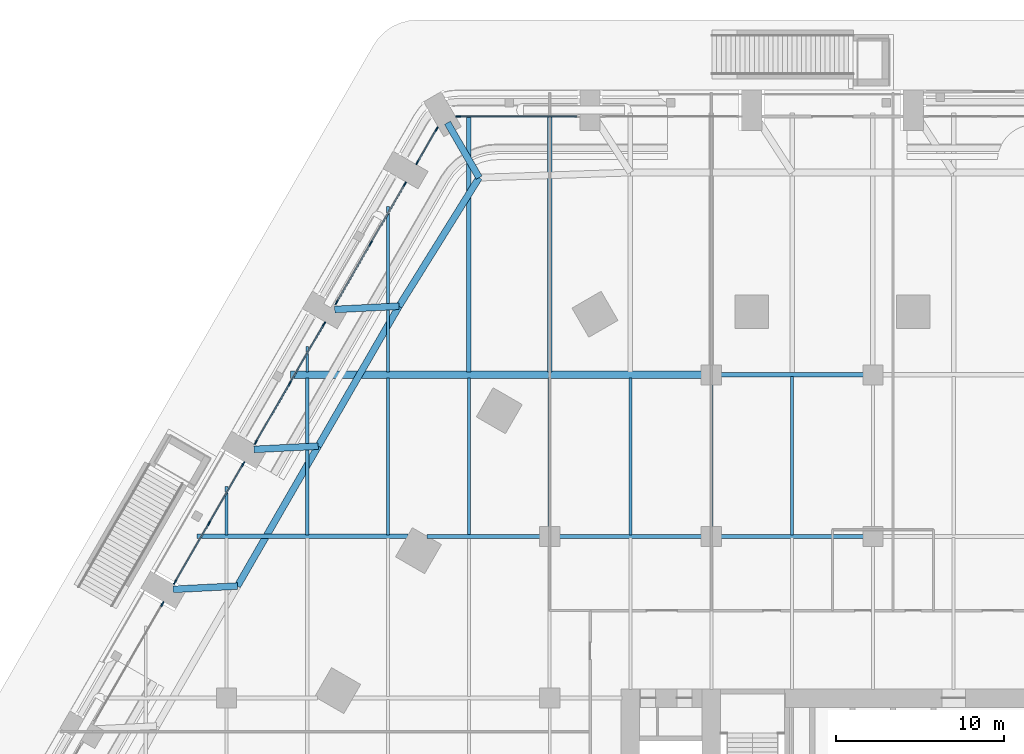
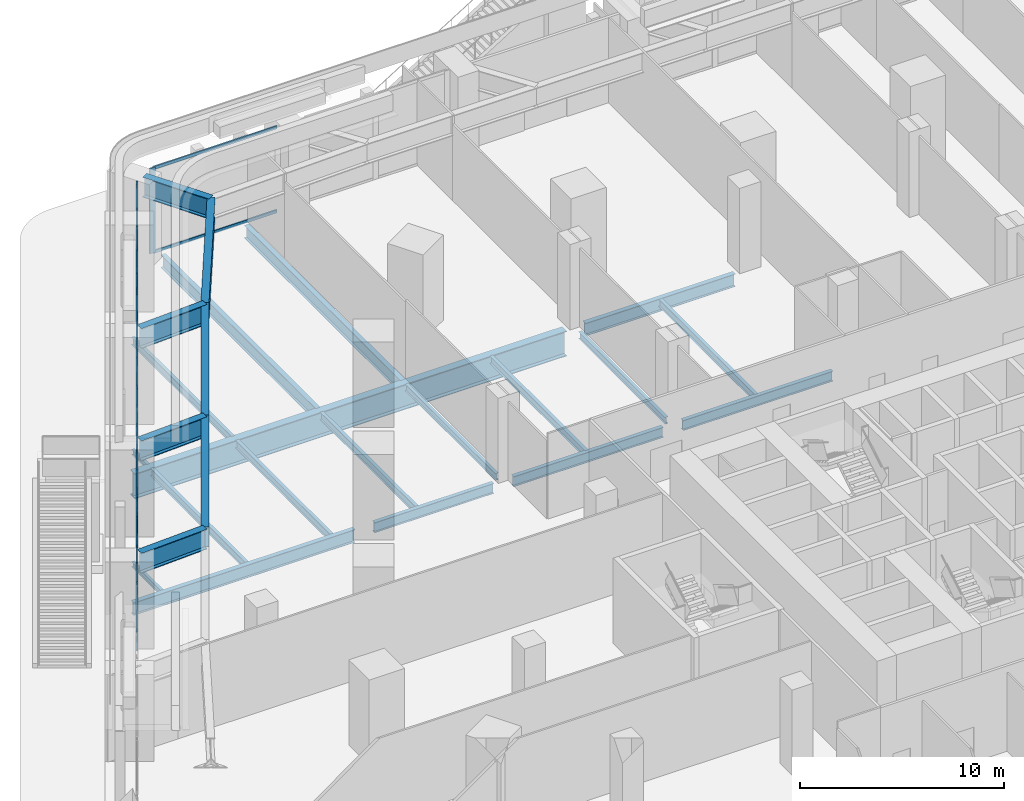
# One storey, part 9 of 34: 29 members, 25 beams, 6 elements without a shape of their own.
"""IFC4 building model written with IfcOpenShell, lengths in metres."""

from ifc_helpers import new_model, si_unit, direction, frame, origin, origin_2d, place, context, subcontext, project, spatial, rectangle, i_section, extrude, material, material_profile, profile_set, type_object, element, aggregate, save


model = new_model("IFC4")

# Units and contexts
model_context = context("Model", 3, precision=1e-05, world=origin(), true_north=direction((0.0, 1.0)))
body_context = subcontext(model_context, "Body", "Model", "MODEL_VIEW")
ifc_project = project(units=[si_unit("LENGTHUNIT", "METRE"), si_unit("AREAUNIT", "SQUARE_METRE"), si_unit("VOLUMEUNIT", "CUBIC_METRE"), si_unit("PLANEANGLEUNIT", "RADIAN"), si_unit("MASSUNIT", "GRAM", prefix="KILO")], contexts=[model_context])

# Site, building, storey
site_placement = place(None, origin())
site = spatial("IfcSite", under=ifc_project, at=site_placement, CompositionType="ELEMENT")
building_placement = place(site_placement, origin())
building = spatial("IfcBuilding", under=site, at=building_placement, Name="Kolab Exchange Tower", CompositionType="ELEMENT")
storey_placement = place(building_placement, frame((0.0, 0.0, 7.0)))
storey = spatial("IfcBuildingStorey", under=building, at=storey_placement, Name="L01", CompositionType="ELEMENT", Elevation=7.0)

# Beams
ifc_material_1 = material(Name="Steel S355", Category="steel")
ifc_material_profile_1 = material_profile(ifc_material_1, i_section(OverallWidth=0.1650390625, OverallDepth=0.31005859375, WebThickness=0.005859375, FlangeThickness=0.009765625, at=origin_2d()), Name="W310X39")
ifc_profile_set_1 = profile_set([ifc_material_profile_1], Name="Steel S355")
beam_type_1 = type_object("IfcBeamType", Name="FLOOR BEAM W310X39", PredefinedType="BEAM", material=ifc_profile_set_1)
beam_1_placement = place(storey_placement, frame((-38.39990234375, 19.29345703125, -0.455078125), z_axis=(0.0, 1.0, 0.0), x_axis=(-1.0, 0.0, 0.0)))
element("IfcBeam", 1, at=beam_1_placement, inside=storey, type_object=beam_type_1, Name="beam/L01/fr/011", PredefinedType="BEAM", context=body_context, shape_type="SweptSolid", body=[
    extrude(i_section(OverallWidth=0.1650390625, OverallDepth=0.31005859375, WebThickness=0.005859375, FlangeThickness=0.009765625, at=origin_2d()), origin(), (0.0, 0.0, 1.0), 2.887939453125),
])
beam_2_placement = place(storey_placement, frame((-33.60009765625, 28.985107421875, -0.455078125), z_axis=(0.0, 1.0, 0.0), x_axis=(-1.0, 0.0, 0.0)))
element("IfcBeam", 2, at=beam_2_placement, inside=storey, type_object=beam_type_1, Name="beam/L01/fr/020", PredefinedType="BEAM", context=body_context, shape_type="SweptSolid", body=[
    extrude(i_section(OverallWidth=0.1650390625, OverallDepth=0.31005859375, WebThickness=0.005859375, FlangeThickness=0.009765625, at=origin_2d()), origin(), (0.0, 0.0, 1.0), 1.51025390625),
])
ifc_material_profile_2 = material_profile(ifc_material_1, i_section(OverallWidth=0.177978515625, OverallDepth=0.406982421875, WebThickness=0.0078125, FlangeThickness=0.0126953125, at=origin_2d()), Name="W410X60")
ifc_profile_set_2 = profile_set([ifc_material_profile_2], Name="Steel S355")
beam_type_2 = type_object("IfcBeamType", Name="FLOOR BEAM W410X60", PredefinedType="BEAM", material=ifc_profile_set_2)
beam_3_placement = place(storey_placement, frame((-19.199951171875, 19.760009765625, -0.50341796875), z_axis=(0.0, 1.0, 0.0), x_axis=(-1.0, 0.0, 0.0)))
element("IfcBeam", 3, at=beam_3_placement, inside=storey, type_object=beam_type_2, Name="beam/L01/fr/045", PredefinedType="BEAM", context=body_context, shape_type="SweptSolid", body=[
    extrude(i_section(OverallWidth=0.177978515625, OverallDepth=0.406982421875, WebThickness=0.0078125, FlangeThickness=0.0126953125, at=origin_2d()), origin(), (0.0, 0.0, 1.0), 8.85498046875),
])
beam_4_placement = place(storey_placement, frame((-9.60009765625, 19.760009765625, -0.50341796875), z_axis=(0.0, 1.0, 0.0), x_axis=(-1.0, 0.0, 0.0)))
element("IfcBeam", 4, at=beam_4_placement, inside=storey, type_object=beam_type_2, Name="beam/L01/fr/060", PredefinedType="BEAM", context=body_context, shape_type="SweptSolid", body=[
    extrude(i_section(OverallWidth=0.177978515625, OverallDepth=0.406982421875, WebThickness=0.0078125, FlangeThickness=0.0126953125, at=origin_2d()), origin(), (0.0, 0.0, 1.0), 8.47998046875),
])
ifc_material_profile_3 = material_profile(ifc_material_1, i_section(OverallWidth=0.18994140625, OverallDepth=0.45703125, WebThickness=0.009033203125, FlangeThickness=0.014404296875, at=origin_2d()), Name="W460X74")
ifc_profile_set_3 = profile_set([ifc_material_profile_3], Name="Steel S355")
beam_type_3 = type_object("IfcBeamType", Name="FLOOR BEAM W460X74", PredefinedType="BEAM", material=ifc_profile_set_3)
for number, where, z_axis, x_axis, name in (
    (5, (-33.60009765625, 19.29345703125, -0.528564453125), (0.0, 1.0, 0.0), (-1.0, 0.0, 0.0), "beam/L01/fr/019"),
    (6, (-28.800048828125, 19.29345703125, -0.528564453125), (0.0, 1.0, 0.0), (-1.0, 0.0, 0.0), "beam/L01/fr/028"),
):
    element("IfcBeam", number, at=place(storey_placement, frame(where, z_axis=z_axis, x_axis=x_axis)), inside=storey, type_object=beam_type_3, Name=name, PredefinedType="BEAM", context=body_context, shape_type="SweptSolid", body=[
        extrude(i_section(OverallWidth=0.18994140625, OverallDepth=0.45703125, WebThickness=0.009033203125, FlangeThickness=0.014404296875, at=origin_2d()), origin(), (0.0, 0.0, 1.0), 9.321533203125),
    ])
beam_5_placement = place(storey_placement, frame((-28.800048828125, 28.985107421875, -0.528564453125), z_axis=(0.0, 1.0, 0.0), x_axis=(-1.0, 0.0, 0.0)))
element("IfcBeam", 7, at=beam_5_placement, inside=storey, type_object=beam_type_3, Name="beam/L01/fr/029", PredefinedType="BEAM", context=body_context, shape_type="SweptSolid", body=[
    extrude(i_section(OverallWidth=0.18994140625, OverallDepth=0.45703125, WebThickness=0.009033203125, FlangeThickness=0.014404296875, at=origin_2d()), origin(), (0.0, 0.0, 1.0), 9.823974609375),
])
for number, where, z_axis, x_axis, name in (
    (8, (-24.0, 19.27392578125, -0.528564453125), (0.0, 1.0, 0.0), (-1.0, 0.0, 0.0), "beam/L01/fr/037"),
    (9, (-14.39990234375, 19.27392578125, -0.528564453125), (0.0, 1.0, 0.0), (-1.0, 0.0, 0.0), "beam/L01/fr/052"),
):
    element("IfcBeam", number, at=place(storey_placement, frame(where, z_axis=z_axis, x_axis=x_axis)), inside=storey, type_object=beam_type_3, Name=name, PredefinedType="BEAM", context=body_context, shape_type="SweptSolid", body=[
        extrude(i_section(OverallWidth=0.18994140625, OverallDepth=0.45703125, WebThickness=0.009033203125, FlangeThickness=0.014404296875, at=origin_2d()), origin(), (0.0, 0.0, 1.0), 9.341064453125),
    ])
beam_6_placement = place(storey_placement, frame((-4.800048828125, 19.27392578125, -0.528564453125), z_axis=(0.0, 1.0, 0.0), x_axis=(-1.0, 0.0, 0.0)))
element("IfcBeam", 10, at=beam_6_placement, inside=storey, type_object=beam_type_3, Name="beam/L01/fr/068", PredefinedType="BEAM", context=body_context, shape_type="SweptSolid", body=[
    extrude(i_section(OverallWidth=0.18994140625, OverallDepth=0.45703125, WebThickness=0.009033203125, FlangeThickness=0.014404296875, at=origin_2d()), origin(), (0.0, 0.0, 1.0), 9.4326171875),
])
ifc_material_profile_4 = material_profile(ifc_material_1, i_section(OverallWidth=0.26708984375, OverallDepth=0.761962890625, WebThickness=0.014404296875, FlangeThickness=0.021484375, at=origin_2d()), Name="W760X173")
ifc_profile_set_4 = profile_set([ifc_material_profile_4], Name="Steel S355")
beam_type_4 = type_object("IfcBeamType", Name="FLOOR BEAM W760X173", PredefinedType="BEAM", material=ifc_profile_set_4)
beam_7_placement = place(storey_placement, frame((-24.0, 28.985107421875, -0.680908203125), z_axis=(0.0, 1.0, 0.0), x_axis=(-1.0, 0.0, 0.0)))
element("IfcBeam", 11, at=beam_7_placement, inside=storey, type_object=beam_type_4, Name="beam/L01/fr/038", PredefinedType="BEAM", context=body_context, shape_type="SweptSolid", body=[
    extrude(i_section(OverallWidth=0.26708984375, OverallDepth=0.761962890625, WebThickness=0.014404296875, FlangeThickness=0.021484375, at=origin_2d()), origin(), (0.0, 0.0, 1.0), 15.182861328125),
])
beam_8_placement = place(storey_placement, frame((-19.199951171875, 28.985107421875, -0.680908203125), z_axis=(0.0, 1.0, 0.0), x_axis=(-1.0, 0.0, 0.0)))
element("IfcBeam", 12, at=beam_8_placement, inside=storey, type_object=beam_type_4, Name="beam/L01/fr/046", PredefinedType="BEAM", context=body_context, shape_type="SweptSolid", body=[
    extrude(i_section(OverallWidth=0.26708984375, OverallDepth=0.761962890625, WebThickness=0.014404296875, FlangeThickness=0.021484375, at=origin_2d()), origin(), (0.0, 0.0, 1.0), 15.31494140625),
])
ifc_material_profile_5 = material_profile(ifc_material_1, i_section(OverallWidth=0.449951171875, OverallDepth=1.5, WebThickness=0.028076171875, FlangeThickness=0.044921875, at=origin_2d()), Name="PG1500X450")
ifc_profile_set_5 = profile_set([ifc_material_profile_5], Name="Steel S355")
beam_type_5 = type_object("IfcBeamType", Name="FLOOR GIRDER PG1500X450", PredefinedType="BEAM", material=ifc_profile_set_5)
beam_9_placement = place(storey_placement, frame((-34.595703125, 28.800048828125, -1.050048828125), z_axis=(1.0, 0.0, 0.0), x_axis=(0.0, 1.0, 0.0)))
element("IfcBeam", 13, at=beam_9_placement, inside=storey, type_object=beam_type_5, Name="beam/L01/gd/008", PredefinedType="BEAM", context=body_context, shape_type="SweptSolid", body=[
    extrude(i_section(OverallWidth=0.449951171875, OverallDepth=1.5, WebThickness=0.028076171875, FlangeThickness=0.044921875, at=origin_2d()), origin(), (0.0, 0.0, 1.0), 24.435791015625),
])
ifc_material_profile_6 = material_profile(ifc_material_1, i_section(OverallWidth=0.22802734375, OverallDepth=0.60791015625, WebThickness=0.01123046875, FlangeThickness=0.017333984375, at=origin_2d()), Name="W610X113")
ifc_profile_set_6 = profile_set([ifc_material_profile_6], Name="Steel S355")
beam_type_6 = type_object("IfcBeamType", Name="FLOOR GIRDER W610X113", PredefinedType="BEAM", material=ifc_profile_set_6)
beam_10_placement = place(storey_placement, frame((-26.495361328125, 19.199951171875, -0.60400390625), z_axis=(1.0, 0.0, 0.0), x_axis=(0.0, 1.0, 0.0)))
element("IfcBeam", 14, at=beam_10_placement, inside=storey, type_object=beam_type_6, Name="beam/L01/gd/013", PredefinedType="BEAM", context=body_context, shape_type="SweptSolid", body=[
    extrude(i_section(OverallWidth=0.22802734375, OverallDepth=0.60791015625, WebThickness=0.01123046875, FlangeThickness=0.017333984375, at=origin_2d()), origin(), (0.0, 0.0, 1.0), 6.7353515625),
])
for number, where, z_axis, x_axis, name in (
    (15, (-18.639892578125, 19.199951171875, -0.60400390625), (1.0, 0.0, 0.0), (0.0, 1.0, 0.0), "beam/L01/gd/017"),
    (16, (-9.0400390625, 19.199951171875, -0.60400390625), (1.0, 0.0, 0.0), (0.0, 1.0, 0.0), "beam/L01/gd/021"),
):
    element("IfcBeam", number, at=place(storey_placement, frame(where, z_axis=z_axis, x_axis=x_axis)), inside=storey, type_object=beam_type_6, Name=name, PredefinedType="BEAM", context=body_context, shape_type="SweptSolid", body=[
        extrude(i_section(OverallWidth=0.22802734375, OverallDepth=0.60791015625, WebThickness=0.01123046875, FlangeThickness=0.017333984375, at=origin_2d()), origin(), (0.0, 0.0, 1.0), 8.47998046875),
    ])
ifc_material_profile_7 = material_profile(ifc_material_1, i_section(OverallWidth=0.26708984375, OverallDepth=0.761962890625, WebThickness=0.014404296875, FlangeThickness=0.021484375, at=origin_2d()), Name="W760X173")
ifc_profile_set_7 = profile_set([ifc_material_profile_7], Name="Steel S355")
beam_type_7 = type_object("IfcBeamType", Name="FLOOR GIRDER W760X173", PredefinedType="BEAM", material=ifc_profile_set_7)
beam_11_placement = place(storey_placement, frame((-40.13818359375, 19.199951171875, -0.680908203125), z_axis=(1.0, 0.0, 0.0), x_axis=(0.0, 1.0, 0.0)))
element("IfcBeam", 17, at=beam_11_placement, inside=storey, type_object=beam_type_7, Name="beam/L01/gd/004", PredefinedType="BEAM", context=body_context, shape_type="SweptSolid", body=[
    extrude(i_section(OverallWidth=0.26708984375, OverallDepth=0.761962890625, WebThickness=0.014404296875, FlangeThickness=0.021484375, at=origin_2d()), origin(), (0.0, 0.0, 1.0), 12.516845703125),
])
beam_12_placement = place(storey_placement, frame((-9.0400390625, 28.800048828125, -0.680908203125), z_axis=(1.0, 0.0, 0.0), x_axis=(0.0, 1.0, 0.0)))
element("IfcBeam", 18, at=beam_12_placement, inside=storey, type_object=beam_type_7, Name="beam/L01/gd/022", PredefinedType="BEAM", context=body_context, shape_type="SweptSolid", body=[
    extrude(i_section(OverallWidth=0.26708984375, OverallDepth=0.761962890625, WebThickness=0.014404296875, FlangeThickness=0.021484375, at=origin_2d()), origin(), (0.0, 0.0, 1.0), 8.47998046875),
])

# Curtain wall, member
ifc_material_2 = material(Name="Aluminium EN AW-6063 T6", Category="aluminium")
curtain_wall_type = type_object("IfcCurtainWallType", Name="PODIUM STRUCTURAL GLAZING CURTAIN WALL", PredefinedType="NOTDEFINED", material=ifc_material_2)
curtain_wall_1_placement = place(storey_placement, origin())
curtain_wall_1 = element("IfcCurtainWall", 19, at=curtain_wall_1_placement, inside=storey, type_object=curtain_wall_type, Name="cw/L01/F1-1", PredefinedType="NOTDEFINED")
ifc_material_profile_8 = material_profile(ifc_material_2, rectangle(XDim=0.080078125, YDim=0.300048828125, at=origin_2d()), Name="RECT 80X300")
ifc_profile_set_8 = profile_set([ifc_material_profile_8], Name="Aluminium EN AW-6063 T6")
member_type_1 = type_object("IfcMemberType", Name="PODIUM STRUCTURAL GLAZING MULLION 80 X 300", PredefinedType="MULLION", material=ifc_profile_set_8)
member_1_placement = place(storey_placement, frame((-24.6279296875, 44.146240234375, 0.0), z_axis=(0.0, 0.0, 1.0), x_axis=(0.0, 1.0, 0.0)))
member_1 = element("IfcMember", 20, at=member_1_placement, type_object=member_type_1, Name="CW5 mullion 1", PredefinedType="MULLION", context=body_context, shape_type="SweptSolid", body=[
    extrude(rectangle(XDim=0.080078125, YDim=0.300048828125, at=origin_2d()), origin(), (0.0, 0.0, 1.0), 5.10009765625),
])

curtain_wall_2_placement = place(storey_placement, origin())
curtain_wall_2 = element("IfcCurtainWall", 21, at=curtain_wall_2_placement, inside=storey, type_object=curtain_wall_type, Name="cw/L01/F6-2", PredefinedType="NOTDEFINED")
member_2_placement = place(storey_placement, frame((-42.206787109375, 15.188232421875, 0.0), z_axis=(0.0, 0.0, 1.0), x_axis=(-0.866025409806, 0.499999989571, 0.0)))
member_2 = element("IfcMember", 22, at=member_2_placement, type_object=member_type_1, Name="CW5 mullion 3", PredefinedType="MULLION", context=body_context, shape_type="SweptSolid", body=[
    extrude(rectangle(XDim=0.080078125, YDim=0.300048828125, at=origin_2d()), origin(), (0.0, 0.0, 1.0), 5.10009765625),
])
aggregate(curtain_wall_2, [member_2])

# Curtain wall, members
curtain_wall_3_placement = place(storey_placement, origin())
curtain_wall_3 = element("IfcCurtainWall", 23, at=curtain_wall_3_placement, inside=storey, type_object=curtain_wall_type, Name="cw/L01/F6-3", PredefinedType="NOTDEFINED")
member_3_placement = place(storey_placement, frame((-41.456787109375, 16.4873046875, 0.0), z_axis=(0.0, 0.0, 1.0), x_axis=(-0.866025409806, 0.499999989571, 0.0)))
member_3 = element("IfcMember", 24, at=member_3_placement, type_object=member_type_1, Name="CW5 mullion 1", PredefinedType="MULLION", context=body_context, shape_type="SweptSolid", body=[
    extrude(rectangle(XDim=0.080078125, YDim=0.300048828125, at=origin_2d()), origin(), (0.0, 0.0, 1.0), 5.10009765625),
])
member_4_placement = place(storey_placement, frame((-39.431640625, 19.99462890625, 0.0), z_axis=(0.0, 0.0, 1.0), x_axis=(-0.866025409806, 0.499999989571, 0.0)))
member_4 = element("IfcMember", 25, at=member_4_placement, type_object=member_type_1, Name="CW5 mullion 2", PredefinedType="MULLION", context=body_context, shape_type="SweptSolid", body=[
    extrude(rectangle(XDim=0.080078125, YDim=0.300048828125, at=origin_2d()), origin(), (0.0, 0.0, 1.0), 5.10009765625),
])
member_5_placement = place(storey_placement, frame((-37.40673828125, 23.501953125, 0.0), z_axis=(0.0, 0.0, 1.0), x_axis=(-0.866025409806, 0.499999989571, 0.0)))
member_5 = element("IfcMember", 26, at=member_5_placement, type_object=member_type_1, Name="CW5 mullion 3", PredefinedType="MULLION", context=body_context, shape_type="SweptSolid", body=[
    extrude(rectangle(XDim=0.080078125, YDim=0.300048828125, at=origin_2d()), origin(), (0.0, 0.0, 1.0), 5.10009765625),
])

curtain_wall_4_placement = place(storey_placement, origin())
curtain_wall_4 = element("IfcCurtainWall", 27, at=curtain_wall_4_placement, inside=storey, type_object=curtain_wall_type, Name="cw/L01/F6-4", PredefinedType="NOTDEFINED")
member_6_placement = place(storey_placement, frame((-36.65673828125, 24.801025390625, 0.0), z_axis=(0.0, 0.0, 1.0), x_axis=(-0.866025409806, 0.499999989571, 0.0)))
member_6 = element("IfcMember", 28, at=member_6_placement, type_object=member_type_1, Name="CW5 mullion 1", PredefinedType="MULLION", context=body_context, shape_type="SweptSolid", body=[
    extrude(rectangle(XDim=0.080078125, YDim=0.300048828125, at=origin_2d()), origin(), (0.0, 0.0, 1.0), 5.10009765625),
])
member_7_placement = place(storey_placement, frame((-34.631591796875, 28.308349609375, 0.0), z_axis=(0.0, 0.0, 1.0), x_axis=(-0.866025409806, 0.499999989571, 0.0)))
member_7 = element("IfcMember", 29, at=member_7_placement, type_object=member_type_1, Name="CW5 mullion 2", PredefinedType="MULLION", context=body_context, shape_type="SweptSolid", body=[
    extrude(rectangle(XDim=0.080078125, YDim=0.300048828125, at=origin_2d()), origin(), (0.0, 0.0, 1.0), 5.10009765625),
])
member_8_placement = place(storey_placement, frame((-32.606689453125, 31.81591796875, 0.0), z_axis=(0.0, 0.0, 1.0), x_axis=(-0.866025409806, 0.499999989571, 0.0)))
member_8 = element("IfcMember", 30, at=member_8_placement, type_object=member_type_1, Name="CW5 mullion 3", PredefinedType="MULLION", context=body_context, shape_type="SweptSolid", body=[
    extrude(rectangle(XDim=0.080078125, YDim=0.300048828125, at=origin_2d()), origin(), (0.0, 0.0, 1.0), 5.10009765625),
])

curtain_wall_5_placement = place(storey_placement, origin())
curtain_wall_5 = element("IfcCurtainWall", 31, at=curtain_wall_5_placement, inside=storey, type_object=curtain_wall_type, Name="cw/L01/F6-5", PredefinedType="NOTDEFINED")
member_9_placement = place(storey_placement, frame((-31.856689453125, 33.114990234375, 0.0), z_axis=(0.0, 0.0, 1.0), x_axis=(-0.866025379245, 0.500000042503, 0.0)))
member_9 = element("IfcMember", 32, at=member_9_placement, type_object=member_type_1, Name="CW5 mullion 1", PredefinedType="MULLION", context=body_context, shape_type="SweptSolid", body=[
    extrude(rectangle(XDim=0.080078125, YDim=0.300048828125, at=origin_2d()), origin(), (0.0, 0.0, 1.0), 5.10009765625),
])
member_10_placement = place(storey_placement, frame((-29.831787109375, 36.622314453125, 0.0), z_axis=(0.0, 0.0, 1.0), x_axis=(-0.866025379245, 0.500000042503, 0.0)))
member_10 = element("IfcMember", 33, at=member_10_placement, type_object=member_type_1, Name="CW5 mullion 2", PredefinedType="MULLION", context=body_context, shape_type="SweptSolid", body=[
    extrude(rectangle(XDim=0.080078125, YDim=0.300048828125, at=origin_2d()), origin(), (0.0, 0.0, 1.0), 5.10009765625),
])
member_11_placement = place(storey_placement, frame((-27.806640625, 40.129638671875, 0.0), z_axis=(0.0, 0.0, 1.0), x_axis=(-0.866025379245, 0.500000042503, 0.0)))
member_11 = element("IfcMember", 34, at=member_11_placement, type_object=member_type_1, Name="CW5 mullion 3", PredefinedType="MULLION", context=body_context, shape_type="SweptSolid", body=[
    extrude(rectangle(XDim=0.080078125, YDim=0.300048828125, at=origin_2d()), origin(), (0.0, 0.0, 1.0), 5.10009765625),
])

curtain_wall_6_placement = place(storey_placement, origin())
curtain_wall_6 = element("IfcCurtainWall", 35, at=curtain_wall_6_placement, inside=storey, type_object=curtain_wall_type, Name="cw/L01/F6-6", PredefinedType="NOTDEFINED")
member_12_placement = place(storey_placement, frame((-27.056640625, 41.4287109375, 0.0), z_axis=(0.0, 0.0, 1.0), x_axis=(-0.86602534008, 0.500000110339, 0.0)))
member_12 = element("IfcMember", 36, at=member_12_placement, type_object=member_type_1, Name="CW5 mullion 1", PredefinedType="MULLION", context=body_context, shape_type="SweptSolid", body=[
    extrude(rectangle(XDim=0.080078125, YDim=0.300048828125, at=origin_2d()), origin(), (0.0, 0.0, 1.0), 5.10009765625),
])
member_13_placement = place(storey_placement, frame((-25.917724609375, 43.401611328125, 0.0), z_axis=(0.0, 0.0, 1.0), x_axis=(-0.86602534008, 0.500000110339, 0.0)))
member_13 = element("IfcMember", 37, at=member_13_placement, type_object=member_type_1, Name="CW5 mullion 2", PredefinedType="MULLION", context=body_context, shape_type="SweptSolid", body=[
    extrude(rectangle(XDim=0.080078125, YDim=0.300048828125, at=origin_2d()), origin(), (0.0, 0.0, 1.0), 5.10009765625),
])

# Member
ifc_material_profile_9 = material_profile(ifc_material_2, rectangle(XDim=0.080078125, YDim=0.179931640625, at=origin_2d()), Name="RECT 80X180")
ifc_profile_set_9 = profile_set([ifc_material_profile_9], Name="Aluminium EN AW-6063 T6")
member_type_2 = type_object("IfcMemberType", Name="PODIUM STRUCTURAL GLAZING TRANSOM 80 X 180", PredefinedType="USERDEFINED", material=ifc_profile_set_9)
member_14_placement = place(storey_placement, frame((-24.587890625, 44.146240234375, 0.0400390625), z_axis=(1.0, 0.0, 0.0), x_axis=(0.0, 1.0, 0.0)))
member_14 = element("IfcMember", 38, at=member_14_placement, type_object=member_type_2, Name="CW5 transom 1.1", ObjectType="TRANSOM", PredefinedType="USERDEFINED", context=body_context, shape_type="SweptSolid", body=[
    extrude(rectangle(XDim=0.080078125, YDim=0.179931640625, at=origin_2d()), origin(), (0.0, 0.0, 1.0), 6.997802734375),
])

member_15_placement = place(storey_placement, frame((-24.587890625, 44.146240234375, 5.06005859375), z_axis=(1.0, 0.0, 0.0), x_axis=(0.0, 1.0, 0.0)))
member_15 = element("IfcMember", 39, at=member_15_placement, type_object=member_type_2, Name="CW5 transom 1.2", ObjectType="TRANSOM", PredefinedType="USERDEFINED", context=body_context, shape_type="SweptSolid", body=[
    extrude(rectangle(XDim=0.080078125, YDim=0.179931640625, at=origin_2d()), origin(), (0.0, 0.0, 1.0), 6.997802734375),
])

aggregate(curtain_wall_1, [member_1, member_14, member_15])

member_16_placement = place(storey_placement, frame((-41.436767578125, 16.521728515625, 0.0400390625), z_axis=(0.500008124526, 0.866020713036, 0.0), x_axis=(-0.866020713036, 0.500008124526, 0.0)))
member_16 = element("IfcMember", 40, at=member_16_placement, type_object=member_type_2, Name="CW5 transom 1.1", ObjectType="TRANSOM", PredefinedType="USERDEFINED", context=body_context, shape_type="SweptSolid", body=[
    extrude(rectangle(XDim=0.080078125, YDim=0.179931640625, at=origin_2d()), origin(), (0.0, 0.0, 1.0), 3.97021484375),
])

member_17_placement = place(storey_placement, frame((-41.436767578125, 16.521728515625, 5.06005859375), z_axis=(0.500008124526, 0.866020713036, 0.0), x_axis=(-0.866020713036, 0.500008124526, 0.0)))
member_17 = element("IfcMember", 41, at=member_17_placement, type_object=member_type_2, Name="CW5 transom 1.2", ObjectType="TRANSOM", PredefinedType="USERDEFINED", context=body_context, shape_type="SweptSolid", body=[
    extrude(rectangle(XDim=0.080078125, YDim=0.179931640625, at=origin_2d()), origin(), (0.0, 0.0, 1.0), 3.97021484375),
])

member_18_placement = place(storey_placement, frame((-39.41162109375, 20.029296875, 0.0400390625), z_axis=(0.499988630717, 0.866031967744, 0.0), x_axis=(-0.866031967744, 0.499988630717, 0.0)))
member_18 = element("IfcMember", 42, at=member_18_placement, type_object=member_type_2, Name="CW5 transom 2.1", ObjectType="TRANSOM", PredefinedType="USERDEFINED", context=body_context, shape_type="SweptSolid", body=[
    extrude(rectangle(XDim=0.080078125, YDim=0.179931640625, at=origin_2d()), origin(), (0.0, 0.0, 1.0), 3.9697265625),
])

member_19_placement = place(storey_placement, frame((-39.41162109375, 20.029296875, 5.06005859375), z_axis=(0.499988630717, 0.866031967744, 0.0), x_axis=(-0.866031967744, 0.499988630717, 0.0)))
member_19 = element("IfcMember", 43, at=member_19_placement, type_object=member_type_2, Name="CW5 transom 2.2", ObjectType="TRANSOM", PredefinedType="USERDEFINED", context=body_context, shape_type="SweptSolid", body=[
    extrude(rectangle(XDim=0.080078125, YDim=0.179931640625, at=origin_2d()), origin(), (0.0, 0.0, 1.0), 3.9697265625),
])

aggregate(curtain_wall_3, [member_3, member_4, member_5, member_16, member_17, member_18, member_19])

member_20_placement = place(storey_placement, frame((-36.63671875, 24.835693359375, 0.0400390625), z_axis=(0.500008124526, 0.866020713036, 0.0), x_axis=(-0.866020713036, 0.500008124526, 0.0)))
member_20 = element("IfcMember", 44, at=member_20_placement, type_object=member_type_2, Name="CW5 transom 1.1", ObjectType="TRANSOM", PredefinedType="USERDEFINED", context=body_context, shape_type="SweptSolid", body=[
    extrude(rectangle(XDim=0.080078125, YDim=0.179931640625, at=origin_2d()), origin(), (0.0, 0.0, 1.0), 3.97021484375),
])

member_21_placement = place(storey_placement, frame((-36.63671875, 24.835693359375, 5.06005859375), z_axis=(0.500008124526, 0.866020713036, 0.0), x_axis=(-0.866020713036, 0.500008124526, 0.0)))
member_21 = element("IfcMember", 45, at=member_21_placement, type_object=member_type_2, Name="CW5 transom 1.2", ObjectType="TRANSOM", PredefinedType="USERDEFINED", context=body_context, shape_type="SweptSolid", body=[
    extrude(rectangle(XDim=0.080078125, YDim=0.179931640625, at=origin_2d()), origin(), (0.0, 0.0, 1.0), 3.97021484375),
])

member_22_placement = place(storey_placement, frame((-34.611572265625, 28.343017578125, 0.0400390625), z_axis=(0.499962002361, 0.86604734062, 0.0), x_axis=(-0.86604734062, 0.499962002361, 0.0)))
member_22 = element("IfcMember", 46, at=member_22_placement, type_object=member_type_2, Name="CW5 transom 2.1", ObjectType="TRANSOM", PredefinedType="USERDEFINED", context=body_context, shape_type="SweptSolid", body=[
    extrude(rectangle(XDim=0.080078125, YDim=0.179931640625, at=origin_2d()), origin(), (0.0, 0.0, 1.0), 3.969970703125),
])

member_23_placement = place(storey_placement, frame((-34.611572265625, 28.343017578125, 5.06005859375), z_axis=(0.499962002361, 0.86604734062, 0.0), x_axis=(-0.86604734062, 0.499962002361, 0.0)))
member_23 = element("IfcMember", 47, at=member_23_placement, type_object=member_type_2, Name="CW5 transom 2.2", ObjectType="TRANSOM", PredefinedType="USERDEFINED", context=body_context, shape_type="SweptSolid", body=[
    extrude(rectangle(XDim=0.080078125, YDim=0.179931640625, at=origin_2d()), origin(), (0.0, 0.0, 1.0), 3.969970703125),
])

aggregate(curtain_wall_4, [member_6, member_7, member_8, member_20, member_21, member_22, member_23])

member_24_placement = place(storey_placement, frame((-31.836669921875, 33.1494140625, 0.0400390625), z_axis=(0.500008124526, 0.866020713036, 0.0), x_axis=(-0.866020713036, 0.500008124526, 0.0)))
member_24 = element("IfcMember", 48, at=member_24_placement, type_object=member_type_2, Name="CW5 transom 1.1", ObjectType="TRANSOM", PredefinedType="USERDEFINED", context=body_context, shape_type="SweptSolid", body=[
    extrude(rectangle(XDim=0.080078125, YDim=0.179931640625, at=origin_2d()), origin(), (0.0, 0.0, 1.0), 3.97021484375),
])

member_25_placement = place(storey_placement, frame((-31.836669921875, 33.1494140625, 5.06005859375), z_axis=(0.500008124526, 0.866020713036, 0.0), x_axis=(-0.866020713036, 0.500008124526, 0.0)))
member_25 = element("IfcMember", 49, at=member_25_placement, type_object=member_type_2, Name="CW5 transom 1.2", ObjectType="TRANSOM", PredefinedType="USERDEFINED", context=body_context, shape_type="SweptSolid", body=[
    extrude(rectangle(XDim=0.080078125, YDim=0.179931640625, at=origin_2d()), origin(), (0.0, 0.0, 1.0), 3.97021484375),
])

member_26_placement = place(storey_placement, frame((-29.811767578125, 36.656982421875, 0.0400390625), z_axis=(0.500034753701, 0.866005337796, 0.0), x_axis=(-0.866005337796, 0.500034753701, 0.0)))
member_26 = element("IfcMember", 50, at=member_26_placement, type_object=member_type_2, Name="CW5 transom 2.1", ObjectType="TRANSOM", PredefinedType="USERDEFINED", context=body_context, shape_type="SweptSolid", body=[
    extrude(rectangle(XDim=0.080078125, YDim=0.179931640625, at=origin_2d()), origin(), (0.0, 0.0, 1.0), 3.969970703125),
])

member_27_placement = place(storey_placement, frame((-29.811767578125, 36.656982421875, 5.06005859375), z_axis=(0.500034753701, 0.866005337796, 0.0), x_axis=(-0.866005337796, 0.500034753701, 0.0)))
member_27 = element("IfcMember", 51, at=member_27_placement, type_object=member_type_2, Name="CW5 transom 2.2", ObjectType="TRANSOM", PredefinedType="USERDEFINED", context=body_context, shape_type="SweptSolid", body=[
    extrude(rectangle(XDim=0.080078125, YDim=0.179931640625, at=origin_2d()), origin(), (0.0, 0.0, 1.0), 3.969970703125),
])

aggregate(curtain_wall_5, [member_9, member_10, member_11, member_24, member_25, member_26, member_27])

member_28_placement = place(storey_placement, frame((-27.03662109375, 41.46337890625, 0.0400390625), z_axis=(0.499950011202, 0.866054262907, 0.0), x_axis=(-0.866054262907, 0.499950011202, 0.0)))
member_28 = element("IfcMember", 52, at=member_28_placement, type_object=member_type_2, Name="CW5 transom 1.1", ObjectType="TRANSOM", PredefinedType="USERDEFINED", context=body_context, shape_type="SweptSolid", body=[
    extrude(rectangle(XDim=0.080078125, YDim=0.179931640625, at=origin_2d()), origin(), (0.0, 0.0, 1.0), 2.197998046875),
])

member_29_placement = place(storey_placement, frame((-27.03662109375, 41.46337890625, 5.06005859375), z_axis=(0.499950011202, 0.866054262907, 0.0), x_axis=(-0.866054262907, 0.499950011202, 0.0)))
member_29 = element("IfcMember", 53, at=member_29_placement, type_object=member_type_2, Name="CW5 transom 1.2", ObjectType="TRANSOM", PredefinedType="USERDEFINED", context=body_context, shape_type="SweptSolid", body=[
    extrude(rectangle(XDim=0.080078125, YDim=0.179931640625, at=origin_2d()), origin(), (0.0, 0.0, 1.0), 2.197998046875),
])

aggregate(curtain_wall_6, [member_12, member_13, member_28, member_29])

# Beams
ifc_material_profile_10 = material_profile(ifc_material_1, i_section(OverallWidth=0.39990234375, OverallDepth=1.199951171875, WebThickness=0.02490234375, FlangeThickness=0.0400390625, at=origin_2d()), Name="PG1200X400")
ifc_profile_set_10 = profile_set([ifc_material_profile_10], Name="Steel S355")
beam_type_8 = type_object("IfcBeamType", Name="TRANSFER GIRDER PG1200X400", PredefinedType="BEAM", material=ifc_profile_set_10)
beam_13_placement = place(storey_placement, frame((-23.392822265625, 40.517822265625, 4.5), z_axis=(-0.50004282833, 0.866000675424, 0.0), x_axis=(-0.866000675424, -0.50004282833, 0.0)))
element("IfcBeam", 54, at=beam_13_placement, inside=storey, type_object=beam_type_8, Name="beam/L01/tg/P2-F1-01", PredefinedType="BEAM", context=body_context, shape_type="SweptSolid", body=[
    extrude(i_section(OverallWidth=0.39990234375, OverallDepth=1.199951171875, WebThickness=0.02490234375, FlangeThickness=0.0400390625, at=origin_2d()), origin(), (0.0, 0.0, 1.0), 3.760009765625),
])
for number, where, z_axis, x_axis, name in (
    (55, (-37.75048828125, 16.252685546875, 4.5), (-0.998699436698, -0.050984655928, 0.0), (0.050984655928, -0.998699436698, 0.0), "beam/L01/tg/P2-F6-05"),
    (56, (-32.950439453125, 24.56640625, 4.5), (-0.99870268381, -0.050921010905, 0.0), (0.050921010905, -0.99870268381, 0.0), "beam/L01/tg/P2-F6-07"),
    (57, (-28.150390625, 32.88037109375, 4.5), (-0.998699436698, -0.050984655928, 0.0), (0.050984655928, -0.998699436698, 0.0), "beam/L01/tg/P2-F6-09"),
):
    element("IfcBeam", number, at=place(storey_placement, frame(where, z_axis=z_axis, x_axis=x_axis)), inside=storey, type_object=beam_type_8, Name=name, PredefinedType="BEAM", context=body_context, shape_type="SweptSolid", body=[
        extrude(i_section(OverallWidth=0.39990234375, OverallDepth=1.199951171875, WebThickness=0.02490234375, FlangeThickness=0.0400390625, at=origin_2d()), origin(), (0.0, 0.0, 1.0), 3.825927734375),
    ])
beam_14_placement = place(storey_placement, frame((-37.75048828125, 16.252685546875, 4.5), z_axis=(0.500009370536, 0.866019993635, 0.0), x_axis=(-0.866019993635, 0.500009370536, 0.0)))
element("IfcBeam", 58, at=beam_14_placement, inside=storey, type_object=beam_type_8, Name="beam/L01/rg/P2-F6-05", PredefinedType="BEAM", context=body_context, shape_type="SweptSolid", body=[
    extrude(i_section(OverallWidth=0.39990234375, OverallDepth=1.199951171875, WebThickness=0.02490234375, FlangeThickness=0.0400390625, at=origin_2d()), origin(), (0.0, 0.0, 1.0), 9.599853515625),
])
beam_15_placement = place(storey_placement, frame((-32.950439453125, 24.56640625, 4.5), z_axis=(0.499998358424, 0.866026351547, 0.0), x_axis=(-0.866026351547, 0.499998358424, 0.0)))
element("IfcBeam", 59, at=beam_15_placement, inside=storey, type_object=beam_type_8, Name="beam/L01/rg/P2-F6-07", PredefinedType="BEAM", context=body_context, shape_type="SweptSolid", body=[
    extrude(i_section(OverallWidth=0.39990234375, OverallDepth=1.199951171875, WebThickness=0.02490234375, FlangeThickness=0.0400390625, at=origin_2d()), origin(), (0.0, 0.0, 1.0), 9.60009765625),
])
beam_16_placement = place(storey_placement, frame((-28.150390625, 32.88037109375, 4.5), z_axis=(0.528732569024, 0.848788472149, 0.0), x_axis=(-0.848788472149, 0.528732569024, 0.0)))
element("IfcBeam", 60, at=beam_16_placement, inside=storey, type_object=beam_type_8, Name="beam/L01/rg/P2-F6-09", PredefinedType="BEAM", context=body_context, shape_type="SweptSolid", body=[
    extrude(i_section(OverallWidth=0.39990234375, OverallDepth=1.199951171875, WebThickness=0.02490234375, FlangeThickness=0.0400390625, at=origin_2d()), origin(), (0.0, 0.0, 1.0), 8.998046875),
])

save(model, "model.ifc")
